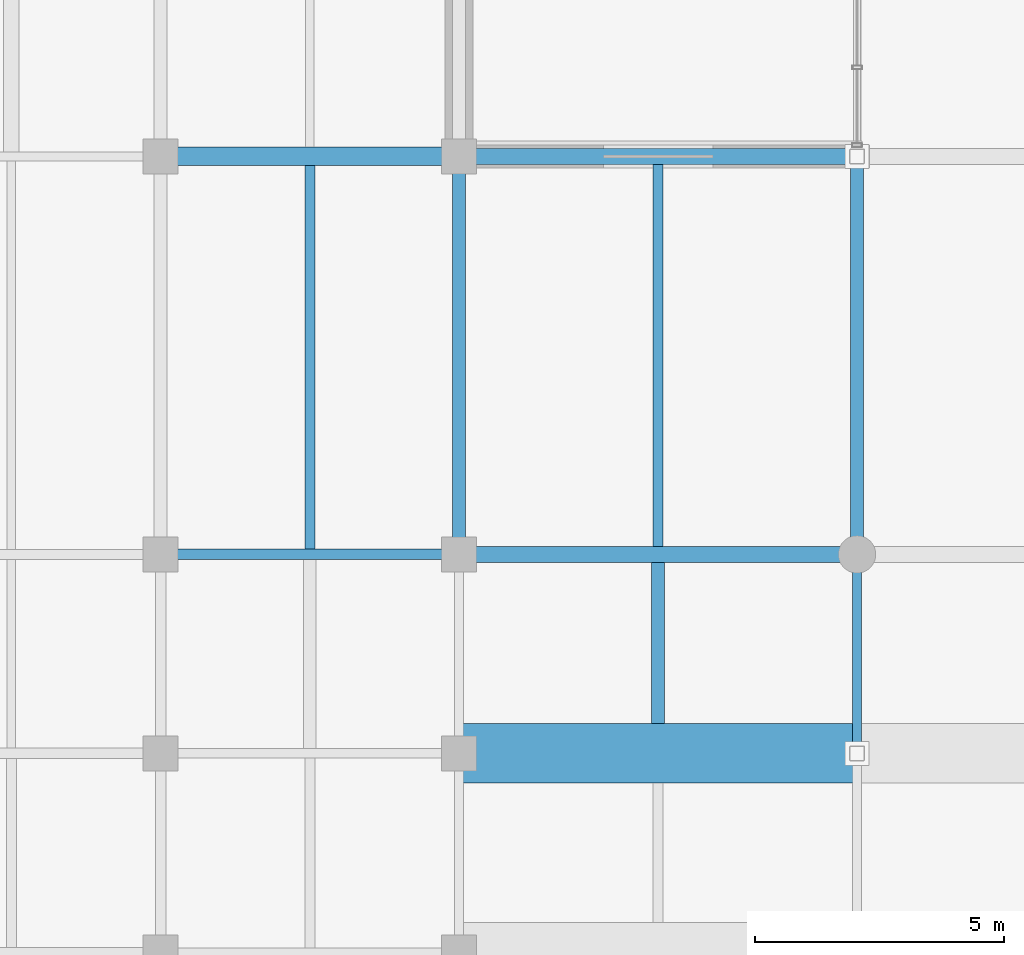
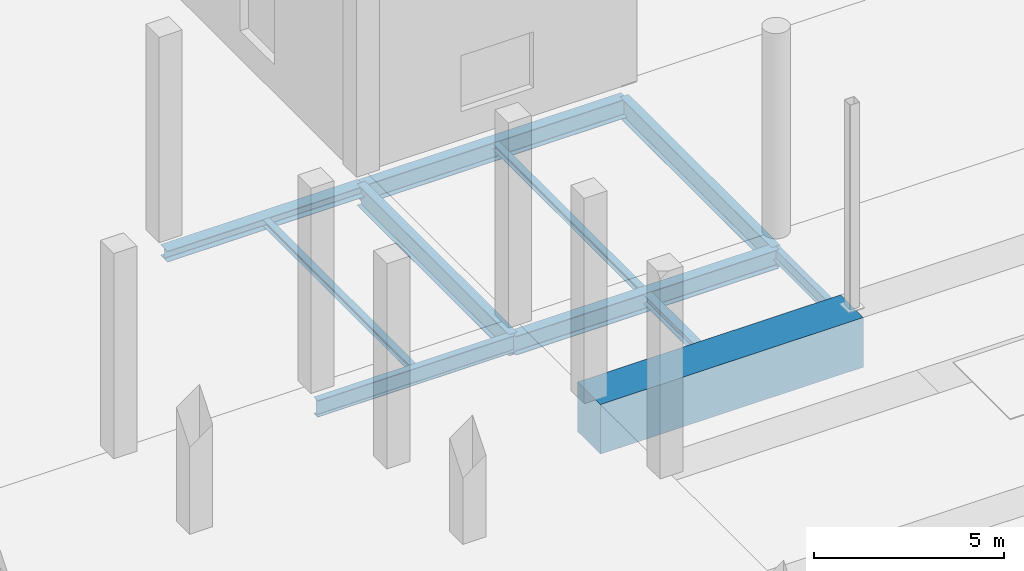
# One storey, part 24 of 140: 11 beams.
"""IFC4 building model written with IfcOpenShell, lengths in metres."""

from ifc_helpers import new_model, si_unit, direction, frame, origin, origin_2d, place, context, subcontext, project, spatial, rectangle, i_section, extrude, material, material_profile, profile_set, type_object, element, save


model = new_model("IFC4")

# Units and contexts
model_context = context("Model", 3, precision=1e-05, world=origin(), true_north=direction((0.0, 1.0)))
body_context = subcontext(model_context, "Body", "Model", "MODEL_VIEW")
ifc_project = project(units=[si_unit("LENGTHUNIT", "METRE"), si_unit("AREAUNIT", "SQUARE_METRE"), si_unit("VOLUMEUNIT", "CUBIC_METRE"), si_unit("PLANEANGLEUNIT", "RADIAN"), si_unit("MASSUNIT", "GRAM", prefix="KILO")], contexts=[model_context])

# Site, building, storey
site_placement = place(None, origin())
site = spatial("IfcSite", under=ifc_project, at=site_placement, CompositionType="ELEMENT")
building_placement = place(site_placement, origin())
building = spatial("IfcBuilding", under=site, at=building_placement, Name="Verrall Gate Interchange", CompositionType="ELEMENT")
storey_placement = place(building_placement, origin())
storey = spatial("IfcBuildingStorey", under=building, at=storey_placement, Name="L01", CompositionType="ELEMENT", Elevation=0.0)

# Beams
ifc_material_1 = material(Name="Structural Steel CSA G40.21 350WT Cat 4", Category="steel")
ifc_material_profile_1 = material_profile(ifc_material_1, i_section(OverallWidth=0.256103515625, OverallDepth=0.693115234375, WebThickness=0.01318359375, FlangeThickness=0.02001953125, FilletRadius=0.01611328125, at=origin_2d()), Name="W690x170")
ifc_profile_set_1 = profile_set([ifc_material_profile_1], Name="Structural Steel CSA G40.21 350WT Cat 4")
beam_type_1 = type_object("IfcBeamType", Name="B-07 Structural Beam W690x170", PredefinedType="BEAM", material=ifc_profile_set_1)
for number, where, z_axis, x_axis, name in (
    (1, (36.0, 48.0, -0.846435546875), (0.0, 1.0, 0.0), (-1.0, 0.0, 0.0), "L01 Girder BM-L01-1081 (B-07)"),
    (2, (44.0, 48.0, -0.846435546875), (0.0, 1.0, 0.0), (-1.0, 0.0, 0.0), "L01 Girder BM-L01-1096 (B-07)"),
):
    element("IfcBeam", number, at=place(storey_placement, frame(where, z_axis=z_axis, x_axis=x_axis)), inside=storey, type_object=beam_type_1, Name=name, PredefinedType="BEAM", context=body_context, shape_type="SweptSolid", body=[
        extrude(i_section(OverallWidth=0.256103515625, OverallDepth=0.693115234375, WebThickness=0.01318359375, FlangeThickness=0.02001953125, FilletRadius=0.01611328125, at=origin_2d()), origin(), (0.0, 0.0, 1.0), 8.0),
    ])
ifc_material_2 = material(Name="Structural Steel CSA G40.21 350WT Cat 4", Category="steel")
ifc_material_profile_2 = material_profile(ifc_material_2, i_section(OverallWidth=0.323974609375, OverallDepth=0.611083984375, WebThickness=0.0126953125, FlangeThickness=0.01904296875, FilletRadius=0.014892578125, at=origin_2d()), Name="W610x155")
ifc_profile_set_2 = profile_set([ifc_material_profile_2], Name="Structural Steel CSA G40.21 350WT Cat 4")
beam_type_2 = type_object("IfcBeamType", Name="B-08 Structural Beam W610x155", PredefinedType="BEAM", material=ifc_profile_set_2)
for number, where, z_axis, x_axis, name in (
    (3, (36.0, 48.0, -0.805419921875), (1.0, 0.0, 0.0), (0.0, 1.0, 0.0), "L01 Girder BM-L01-0917 (B-08)"),
    (4, (36.0, 56.0, -0.805419921875), (1.0, 0.0, 0.0), (0.0, 1.0, 0.0), "L01 Girder BM-L01-0939 (B-08)"),
):
    element("IfcBeam", number, at=place(storey_placement, frame(where, z_axis=z_axis, x_axis=x_axis)), inside=storey, type_object=beam_type_2, Name=name, PredefinedType="BEAM", context=body_context, shape_type="SweptSolid", body=[
        extrude(i_section(OverallWidth=0.323974609375, OverallDepth=0.611083984375, WebThickness=0.0126953125, FlangeThickness=0.01904296875, FilletRadius=0.014892578125, at=origin_2d()), origin(), (0.0, 0.0, 1.0), 8.0),
    ])
ifc_material_3 = material(Name="Structural Steel CSA G40.21 350W", Category="steel")
ifc_material_profile_3 = material_profile(ifc_material_3, i_section(OverallWidth=0.2109375, OverallDepth=0.5390625, WebThickness=0.01171875, FlangeThickness=0.018798828125, FilletRadius=0.013916015625, at=origin_2d()), Name="W530x109")
ifc_profile_set_3 = profile_set([ifc_material_profile_3], Name="Structural Steel CSA G40.21 350W")
beam_type_3 = type_object("IfcBeamType", Name="B-10 Structural Beam W530x109", PredefinedType="BEAM", material=ifc_profile_set_3)
beam_1_placement = place(storey_placement, frame((30.0, 48.0, -0.76953125), z_axis=(1.0, 0.0, 0.0), x_axis=(0.0, 1.0, 0.0)))
element("IfcBeam", 5, at=beam_1_placement, inside=storey, type_object=beam_type_3, Name="L01 Girder BM-L01-0916 (B-10)", PredefinedType="BEAM", context=body_context, shape_type="SweptSolid", body=[
    extrude(i_section(OverallWidth=0.2109375, OverallDepth=0.5390625, WebThickness=0.01171875, FlangeThickness=0.018798828125, FilletRadius=0.013916015625, at=origin_2d()), origin(), (0.0, 0.0, 1.0), 6.0),
])
ifc_material_4 = material(Name="Structural Steel CSA G40.21 350W", Category="steel")
ifc_material_profile_4 = material_profile(ifc_material_4, i_section(OverallWidth=0.178955078125, OverallDepth=0.409912109375, WebThickness=0.0087890625, FlangeThickness=0.014404296875, FilletRadius=0.011962890625, at=origin_2d()), Name="W410x67")
ifc_profile_set_4 = profile_set([ifc_material_profile_4], Name="Structural Steel CSA G40.21 350W")
beam_type_4 = type_object("IfcBeamType", Name="B-12 Structural Beam W410x67", PredefinedType="BEAM", material=ifc_profile_set_4)
beam_2_placement = place(storey_placement, frame((44.0, 44.0, -0.705078125), z_axis=(0.0, 1.0, 0.0), x_axis=(-1.0, 0.0, 0.0)))
element("IfcBeam", 6, at=beam_2_placement, inside=storey, type_object=beam_type_4, Name="L01 Girder BM-L01-1095 (B-12)", PredefinedType="BEAM", context=body_context, shape_type="SweptSolid", body=[
    extrude(i_section(OverallWidth=0.178955078125, OverallDepth=0.409912109375, WebThickness=0.0087890625, FlangeThickness=0.014404296875, FilletRadius=0.011962890625, at=origin_2d()), origin(), (0.0, 0.0, 1.0), 4.0),
])
ifc_material_5 = material(Name="Structural Steel CSA G40.21 350W", Category="steel")
ifc_material_profile_5 = material_profile(ifc_material_5, i_section(OverallWidth=0.368896484375, OverallDepth=0.35595703125, WebThickness=0.01123046875, FlangeThickness=0.01806640625, FilletRadius=0.014892578125, at=origin_2d()), Name="W360x134")
ifc_profile_set_5 = profile_set([ifc_material_profile_5], Name="Structural Steel CSA G40.21 350W")
beam_type_5 = type_object("IfcBeamType", Name="B-13 Structural Beam W360x134", PredefinedType="BEAM", material=ifc_profile_set_5)
beam_3_placement = place(storey_placement, frame((30.0, 56.0, -0.677978515625), z_axis=(1.0, 0.0, 0.0), x_axis=(0.0, 1.0, 0.0)))
element("IfcBeam", 7, at=beam_3_placement, inside=storey, type_object=beam_type_5, Name="L01 Girder BM-L01-0938 (B-13)", PredefinedType="BEAM", context=body_context, shape_type="SweptSolid", body=[
    extrude(i_section(OverallWidth=0.368896484375, OverallDepth=0.35595703125, WebThickness=0.01123046875, FlangeThickness=0.01806640625, FilletRadius=0.014892578125, at=origin_2d()), origin(), (0.0, 0.0, 1.0), 6.0),
])
ifc_material_6 = material(Name="Structural Steel CSA G40.21 350W", Category="steel")
ifc_material_profile_6 = material_profile(ifc_material_6, i_section(OverallWidth=0.25390625, OverallDepth=0.305908203125, WebThickness=0.0087890625, FlangeThickness=0.0146484375, FilletRadius=0.012939453125, at=origin_2d()), Name="W310x79")
ifc_profile_set_6 = profile_set([ifc_material_profile_6], Name="Structural Steel CSA G40.21 350W")
beam_type_6 = type_object("IfcBeamType", Name="J-03 Floor Joist W310x79", PredefinedType="JOIST", material=ifc_profile_set_6)
beam_4_placement = place(storey_placement, frame((40.0, 44.60009765625, -0.653076171875), z_axis=(0.0, 1.0, 0.0), x_axis=(-1.0, 0.0, 0.0)))
element("IfcBeam", 8, at=beam_4_placement, inside=storey, type_object=beam_type_6, Name="L01 Secondary Floor Joist JST-L01-1385", PredefinedType="JOIST", context=body_context, shape_type="SweptSolid", body=[
    extrude(i_section(OverallWidth=0.25390625, OverallDepth=0.305908203125, WebThickness=0.0087890625, FlangeThickness=0.0146484375, FilletRadius=0.012939453125, at=origin_2d()), origin(), (0.0, 0.0, 1.0), 3.23779296875),
])
ifc_material_7 = material(Name="Structural Steel CSA G40.21 350W", Category="steel")
ifc_material_profile_7 = material_profile(ifc_material_7, i_section(OverallWidth=0.202880859375, OverallDepth=0.202880859375, WebThickness=0.007080078125, FlangeThickness=0.010986328125, FilletRadius=0.010009765625, at=origin_2d()), Name="W200x46")
ifc_profile_set_7 = profile_set([ifc_material_profile_7], Name="Structural Steel CSA G40.21 350W")
beam_type_7 = type_object("IfcBeamType", Name="J-07 Floor Joist W200x46", PredefinedType="JOIST", material=ifc_profile_set_7)
beam_5_placement = place(storey_placement, frame((33.0, 48.10546875, -0.6015625), z_axis=(0.0, 1.0, 0.0), x_axis=(-1.0, 0.0, 0.0)))
element("IfcBeam", 9, at=beam_5_placement, inside=storey, type_object=beam_type_7, Name="L01 Secondary Floor Joist JST-L01-1402", PredefinedType="JOIST", context=body_context, shape_type="SweptSolid", body=[
    extrude(i_section(OverallWidth=0.202880859375, OverallDepth=0.202880859375, WebThickness=0.007080078125, FlangeThickness=0.010986328125, FilletRadius=0.010009765625, at=origin_2d()), origin(), (0.0, 0.0, 1.0), 7.7099609375),
])
beam_6_placement = place(storey_placement, frame((40.0, 48.162109375, -0.6015625), z_axis=(0.0, 1.0, 0.0), x_axis=(-1.0, 0.0, 0.0)))
element("IfcBeam", 10, at=beam_6_placement, inside=storey, type_object=beam_type_7, Name="L01 Secondary Floor Joist JST-L01-1403", PredefinedType="JOIST", context=body_context, shape_type="SweptSolid", body=[
    extrude(i_section(OverallWidth=0.202880859375, OverallDepth=0.202880859375, WebThickness=0.007080078125, FlangeThickness=0.010986328125, FilletRadius=0.010009765625, at=origin_2d()), origin(), (0.0, 0.0, 1.0), 7.67578125),
])
ifc_material_8 = material(Name="Concrete CSA A23.1 40 MPa (Class N)", Category="concrete")
ifc_material_profile_8 = material_profile(ifc_material_8, rectangle(XDim=1.199951171875, YDim=1.60009765625, at=origin_2d()), Name="RC1200x1600")
ifc_profile_set_8 = profile_set([ifc_material_profile_8], Name="Concrete CSA A23.1 40 MPa (Class N)")
beam_type_8 = type_object("IfcBeamType", Name="TG-01 Transfer Girder RC1200x1600", PredefinedType="USERDEFINED", material=ifc_profile_set_8)
beam_7_placement = place(storey_placement, frame((36.0, 44.0, -0.800048828125), z_axis=(1.0, 0.0, 0.0), x_axis=(0.0, 1.0, 0.0)))
element("IfcBeam", 11, at=beam_7_placement, inside=storey, type_object=beam_type_8, Name="L01 Girder BM-L01-0895 (TG-01)", ObjectType="TRANSFER_GIRDER", PredefinedType="USERDEFINED", context=body_context, shape_type="SweptSolid", body=[
    extrude(rectangle(XDim=1.199951171875, YDim=1.60009765625, at=origin_2d()), origin(), (0.0, 0.0, 1.0), 8.0),
])

save(model, "model.ifc")
